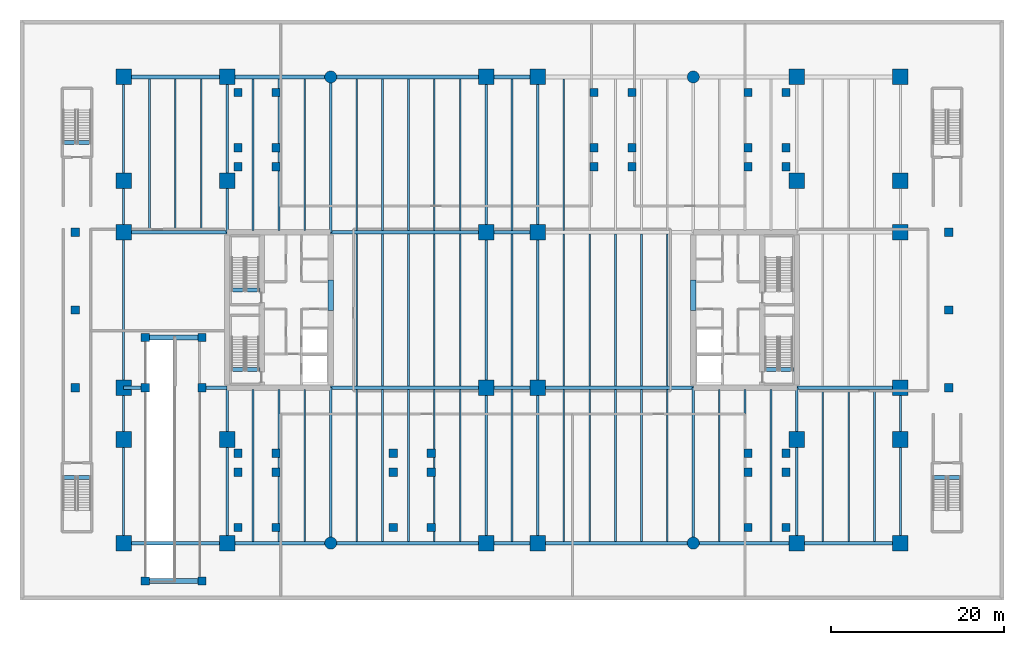
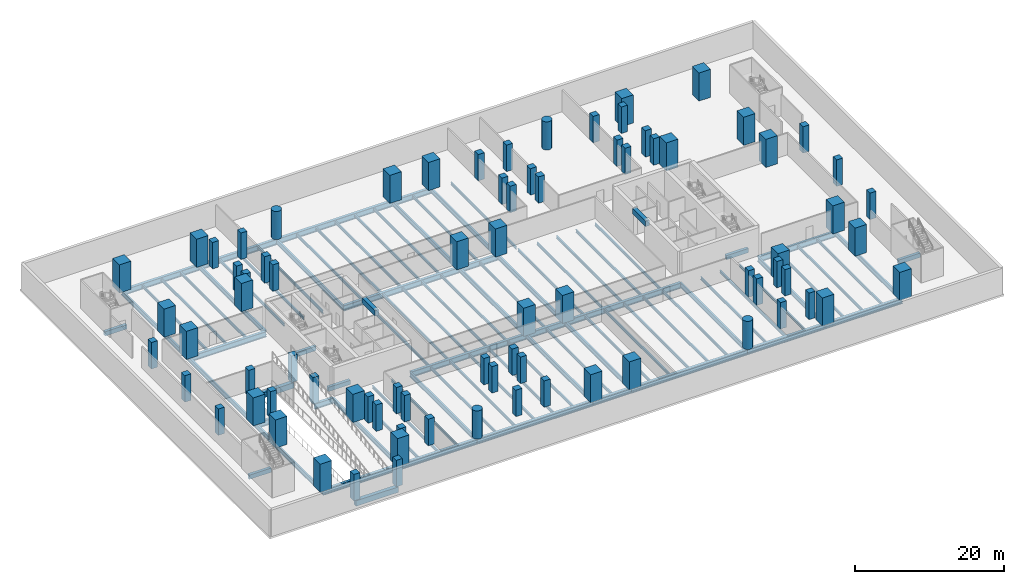
# One storey, part 1 of 13: 90 beams, 80 columns.
"""IFC4 building model written with IfcOpenShell, lengths in metres."""

from ifc_helpers import new_model, si_unit, direction, frame, origin, origin_2d, place, context, subcontext, project, spatial, rectangle, circle, i_section, extrude, material, material_profile, profile_set, type_object, element, save


model = new_model("IFC4")

# Units and contexts
model_context = context("Model", 3, precision=1e-05, world=origin(), true_north=direction((0.0, 1.0)))
body_context = subcontext(model_context, "Body", "Model", "MODEL_VIEW")
ifc_project = project(units=[si_unit("LENGTHUNIT", "METRE"), si_unit("AREAUNIT", "SQUARE_METRE"), si_unit("VOLUMEUNIT", "CUBIC_METRE"), si_unit("PLANEANGLEUNIT", "RADIAN"), si_unit("MASSUNIT", "GRAM", prefix="KILO")], contexts=[model_context])

# Site, building, storey
site_placement = place(None, origin())
site = spatial("IfcSite", under=ifc_project, at=site_placement, CompositionType="ELEMENT")
building_placement = place(site_placement, origin())
building = spatial("IfcBuilding", under=site, at=building_placement, Name="Tanjung Sevakor Pilgrim Tower", CompositionType="ELEMENT")
storey_placement = place(building_placement, frame((0.0, 0.0, -4.6201171875)))
storey = spatial("IfcBuildingStorey", under=building, at=storey_placement, Name="B01", CompositionType="ELEMENT", Elevation=-4.6201171875)

# Columns
ifc_material_1 = material(Name="Concrete C60/75", Category="concrete")
ifc_material_profile_1 = material_profile(ifc_material_1, circle(Radius=0.699951171875, at=origin_2d()))
ifc_profile_set_1 = profile_set([ifc_material_profile_1], Name="Concrete C60/75")
column_type_1 = type_object("IfcColumnType", Name="COL-C-D1400-RC-COL_D1400", PredefinedType="COLUMN", material=ifc_profile_set_1)
for number, where, z_axis, x_axis, name in (
    (1, (36.0, 6.60009765625, 0.0), (0.0, 0.0, 1.0), (1.0, 0.0, 0.0), "B01 Column MC-036-066"),
    (2, (36.0, 60.60009765625, 0.0), (0.0, 0.0, 1.0), (1.0, 0.0, 0.0), "B01 Column MC-036-606"),
    (3, (78.0, 6.60009765625, 0.0), (0.0, 0.0, 1.0), (1.0, 0.0, 0.0), "B01 Column MC-078-066"),
    (4, (78.0, 60.60009765625, 0.0), (0.0, 0.0, 1.0), (1.0, 0.0, 0.0), "B01 Column MC-078-606"),
):
    element("IfcColumn", number, at=place(storey_placement, frame(where, z_axis=z_axis, x_axis=x_axis)), inside=storey, type_object=column_type_1, Name=name, PredefinedType="COLUMN", context=body_context, shape_type="SweptSolid", body=[
        extrude(circle(Radius=0.699951171875, at=origin_2d()), origin(), (0.0, 0.0, 1.0), 4.6201171875),
    ])
ifc_material_2 = material(Name="Concrete C60/75", Category="concrete")
ifc_material_profile_2 = material_profile(ifc_material_2, rectangle(XDim=1.800048828125, YDim=1.800048828125, at=origin_2d()))
ifc_profile_set_2 = profile_set([ifc_material_profile_2], Name="Concrete C60/75")
column_type_2 = type_object("IfcColumnType", Name="COL-C-M1800-RC_1800x1800", PredefinedType="COLUMN", material=ifc_profile_set_2)
for number, where, z_axis, x_axis, name in (
    (5, (12.0, 6.60009765625, 0.0), (0.0, 0.0, 1.0), (1.0, 0.0, 0.0), "B01 Column MC-012-066"),
    (6, (12.0, 24.60009765625, 0.0), (0.0, 0.0, 1.0), (1.0, 0.0, 0.0), "B01 Column MC-012-246"),
    (7, (12.0, 42.60009765625, 0.0), (0.0, 0.0, 1.0), (1.0, 0.0, 0.0), "B01 Column MC-012-426"),
    (8, (12.0, 60.60009765625, 0.0), (0.0, 0.0, 1.0), (1.0, 0.0, 0.0), "B01 Column MC-012-606"),
    (9, (24.0, 6.60009765625, 0.0), (0.0, 0.0, 1.0), (1.0, 0.0, 0.0), "B01 Column MC-024-066"),
    (10, (24.0, 60.60009765625, 0.0), (0.0, 0.0, 1.0), (1.0, 0.0, 0.0), "B01 Column MC-024-606"),
    (11, (54.0, 6.60009765625, 0.0), (0.0, 0.0, 1.0), (1.0, 0.0, 0.0), "B01 Column MC-054-066"),
    (12, (54.0, 24.60009765625, 0.0), (0.0, 0.0, 1.0), (1.0, 0.0, 0.0), "B01 Column MC-054-246"),
    (13, (54.0, 42.60009765625, 0.0), (0.0, 0.0, 1.0), (1.0, 0.0, 0.0), "B01 Column MC-054-426"),
    (14, (54.0, 60.60009765625, 0.0), (0.0, 0.0, 1.0), (1.0, 0.0, 0.0), "B01 Column MC-054-606"),
    (15, (60.0, 6.60009765625, 0.0), (0.0, 0.0, 1.0), (1.0, 0.0, 0.0), "B01 Column MC-060-066"),
    (16, (60.0, 24.60009765625, 0.0), (0.0, 0.0, 1.0), (1.0, 0.0, 0.0), "B01 Column MC-060-246"),
    (17, (60.0, 42.60009765625, 0.0), (0.0, 0.0, 1.0), (1.0, 0.0, 0.0), "B01 Column MC-060-426"),
    (18, (60.0, 60.60009765625, 0.0), (0.0, 0.0, 1.0), (1.0, 0.0, 0.0), "B01 Column MC-060-606"),
    (19, (90.0, 6.60009765625, 0.0), (0.0, 0.0, 1.0), (1.0, 0.0, 0.0), "B01 Column MC-090-066"),
    (20, (90.0, 60.60009765625, 0.0), (0.0, 0.0, 1.0), (1.0, 0.0, 0.0), "B01 Column MC-090-606"),
    (21, (102.0, 6.60009765625, 0.0), (0.0, 0.0, 1.0), (1.0, 0.0, 0.0), "B01 Column MC-102-066"),
    (22, (102.0, 24.60009765625, 0.0), (0.0, 0.0, 1.0), (1.0, 0.0, 0.0), "B01 Column MC-102-246"),
    (23, (102.0, 42.60009765625, 0.0), (0.0, 0.0, 1.0), (1.0, 0.0, 0.0), "B01 Column MC-102-426"),
    (24, (102.0, 60.60009765625, 0.0), (0.0, 0.0, 1.0), (1.0, 0.0, 0.0), "B01 Column MC-102-606"),
    (25, (12.0, 18.60009765625, 0.0), (0.0, 0.0, 1.0), (1.0, 0.0, 0.0), "B01 Column MCE-012-186"),
    (26, (12.0, 48.60009765625, 0.0), (0.0, 0.0, 1.0), (1.0, 0.0, 0.0), "B01 Column MCE-012-486"),
    (27, (24.0, 18.60009765625, 0.0), (0.0, 0.0, 1.0), (1.0, 0.0, 0.0), "B01 Column MCE-024-186"),
    (28, (24.0, 48.60009765625, 0.0), (0.0, 0.0, 1.0), (1.0, 0.0, 0.0), "B01 Column MCE-024-486"),
    (29, (90.0, 18.60009765625, 0.0), (0.0, 0.0, 1.0), (1.0, 0.0, 0.0), "B01 Column MCE-090-186"),
    (30, (90.0, 48.60009765625, 0.0), (0.0, 0.0, 1.0), (1.0, 0.0, 0.0), "B01 Column MCE-090-486"),
    (31, (102.0, 18.60009765625, 0.0), (0.0, 0.0, 1.0), (1.0, 0.0, 0.0), "B01 Column MCE-102-186"),
    (32, (102.0, 48.60009765625, 0.0), (0.0, 0.0, 1.0), (1.0, 0.0, 0.0), "B01 Column MCE-102-486"),
):
    element("IfcColumn", number, at=place(storey_placement, frame(where, z_axis=z_axis, x_axis=x_axis)), inside=storey, type_object=column_type_2, Name=name, PredefinedType="COLUMN", context=body_context, shape_type="SweptSolid", body=[
        extrude(rectangle(XDim=1.800048828125, YDim=1.800048828125, at=origin_2d()), origin(), (0.0, 0.0, 1.0), 4.6201171875),
    ])
ifc_material_3 = material(Name="Concrete C60/75", Category="concrete")
ifc_material_profile_3 = material_profile(ifc_material_3, rectangle(XDim=0.949951171875, YDim=0.949951171875, at=origin_2d()))
ifc_profile_set_3 = profile_set([ifc_material_profile_3], Name="Concrete C60/75")
column_type_3 = type_object("IfcColumnType", Name="COL-C-T950-RC_950x950", PredefinedType="COLUMN", material=ifc_profile_set_3)
for number, where, z_axis, x_axis, name in (
    (33, (6.39990234375, 24.60009765625, 0.0), (0.0, 0.0, 1.0), (1.0, 0.0, 0.0), "B01 Stair Frame Column W2"),
    (34, (6.39990234375, 42.60009765625, 0.0), (0.0, 0.0, 1.0), (1.0, 0.0, 0.0), "B01 Stair Frame Column W3"),
    (35, (6.39990234375, 33.60009765625, 0.0), (0.0, 0.0, 1.0), (1.0, 0.0, 0.0), "B01 Stair Frame Column W5"),
    (36, (107.60009765625, 24.60009765625, 0.0), (0.0, 0.0, 1.0), (1.0, 0.0, 0.0), "B01 Stair Frame Column E2"),
    (37, (107.60009765625, 42.60009765625, 0.0), (0.0, 0.0, 1.0), (1.0, 0.0, 0.0), "B01 Stair Frame Column E3"),
    (38, (107.60009765625, 33.60009765625, 0.0), (0.0, 0.0, 1.0), (1.0, 0.0, 0.0), "B01 Stair Frame Column E5"),
    (39, (14.5, 2.199951171875, 0.0), (0.0, 0.0, 1.0), (1.0, 0.0, 0.0), "B01 Stair Frame Column RMP1"),
    (40, (21.10009765625, 2.199951171875, 0.0), (0.0, 0.0, 1.0), (1.0, 0.0, 0.0), "B01 Stair Frame Column RMP2"),
    (41, (14.5, 30.39990234375, 0.0), (0.0, 0.0, 1.0), (1.0, 0.0, 0.0), "B01 Stair Frame Column RMP3"),
    (42, (21.10009765625, 30.39990234375, 0.0), (0.0, 0.0, 1.0), (1.0, 0.0, 0.0), "B01 Stair Frame Column RMP4"),
    (43, (14.5, 24.60009765625, 0.0), (0.0, 0.0, 1.0), (1.0, 0.0, 0.0), "B01 Stair Frame Column RMPY1"),
    (44, (21.10009765625, 24.60009765625, 0.0), (0.0, 0.0, 1.0), (1.0, 0.0, 0.0), "B01 Stair Frame Column RMPY2"),
    (45, (25.25, 14.800048828125, 0.0), (0.0, 0.0, 1.0), (1.0, 0.0, 0.0), "B01 Stair Frame Column PS1P1"),
    (46, (29.64990234375, 14.800048828125, 0.0), (0.0, 0.0, 1.0), (1.0, 0.0, 0.0), "B01 Stair Frame Column PS1P2"),
    (47, (25.25, 8.39990234375, 0.0), (0.0, 0.0, 1.0), (1.0, 0.0, 0.0), "B01 Stair Frame Column PS1P3"),
    (48, (29.64990234375, 8.39990234375, 0.0), (0.0, 0.0, 1.0), (1.0, 0.0, 0.0), "B01 Stair Frame Column PS1P4"),
    (49, (29.64990234375, 17.0, 0.0), (0.0, 0.0, 1.0), (1.0, 0.0, 0.0), "B01 Stair Frame Column PS1P5"),
    (50, (25.25, 17.0, 0.0), (0.0, 0.0, 1.0), (1.0, 0.0, 0.0), "B01 Stair Frame Column PS1P6"),
    (51, (25.25, 52.39990234375, 0.0), (0.0, 0.0, 1.0), (1.0, 0.0, 0.0), "B01 Stair Frame Column PS2P1"),
    (52, (29.64990234375, 52.39990234375, 0.0), (0.0, 0.0, 1.0), (1.0, 0.0, 0.0), "B01 Stair Frame Column PS2P2"),
    (53, (25.25, 50.199951171875, 0.0), (0.0, 0.0, 1.0), (1.0, 0.0, 0.0), "B01 Stair Frame Column PS2P3"),
    (54, (29.64990234375, 50.199951171875, 0.0), (0.0, 0.0, 1.0), (1.0, 0.0, 0.0), "B01 Stair Frame Column PS2P4"),
    (55, (29.64990234375, 58.800048828125, 0.0), (0.0, 0.0, 1.0), (1.0, 0.0, 0.0), "B01 Stair Frame Column PS2P5"),
    (56, (25.25, 58.800048828125, 0.0), (0.0, 0.0, 1.0), (1.0, 0.0, 0.0), "B01 Stair Frame Column PS2P6"),
    (57, (43.25, 14.800048828125, 0.0), (0.0, 0.0, 1.0), (1.0, 0.0, 0.0), "B01 Stair Frame Column PS3P1"),
    (58, (47.64990234375, 14.800048828125, 0.0), (0.0, 0.0, 1.0), (1.0, 0.0, 0.0), "B01 Stair Frame Column PS3P2"),
    (59, (43.25, 8.39990234375, 0.0), (0.0, 0.0, 1.0), (1.0, 0.0, 0.0), "B01 Stair Frame Column PS3P3"),
    (60, (47.64990234375, 8.39990234375, 0.0), (0.0, 0.0, 1.0), (1.0, 0.0, 0.0), "B01 Stair Frame Column PS3P4"),
    (61, (47.64990234375, 17.0, 0.0), (0.0, 0.0, 1.0), (1.0, 0.0, 0.0), "B01 Stair Frame Column PS3P5"),
    (62, (43.25, 17.0, 0.0), (0.0, 0.0, 1.0), (1.0, 0.0, 0.0), "B01 Stair Frame Column PS3P6"),
    (63, (66.5, 52.39990234375, 0.0), (0.0, 0.0, 1.0), (1.0, 0.0, 0.0), "B01 Stair Frame Column PS4P1"),
    (64, (70.89990234375, 52.39990234375, 0.0), (0.0, 0.0, 1.0), (1.0, 0.0, 0.0), "B01 Stair Frame Column PS4P2"),
    (65, (66.5, 50.199951171875, 0.0), (0.0, 0.0, 1.0), (1.0, 0.0, 0.0), "B01 Stair Frame Column PS4P3"),
    (66, (70.89990234375, 50.199951171875, 0.0), (0.0, 0.0, 1.0), (1.0, 0.0, 0.0), "B01 Stair Frame Column PS4P4"),
    (67, (70.89990234375, 58.800048828125, 0.0), (0.0, 0.0, 1.0), (1.0, 0.0, 0.0), "B01 Stair Frame Column PS4P5"),
    (68, (66.5, 58.800048828125, 0.0), (0.0, 0.0, 1.0), (1.0, 0.0, 0.0), "B01 Stair Frame Column PS4P6"),
    (69, (84.35009765625, 14.800048828125, 0.0), (0.0, 0.0, 1.0), (1.0, 0.0, 0.0), "B01 Stair Frame Column PS5P1"),
    (70, (88.75, 14.800048828125, 0.0), (0.0, 0.0, 1.0), (1.0, 0.0, 0.0), "B01 Stair Frame Column PS5P2"),
    (71, (84.35009765625, 8.39990234375, 0.0), (0.0, 0.0, 1.0), (1.0, 0.0, 0.0), "B01 Stair Frame Column PS5P3"),
    (72, (88.75, 8.39990234375, 0.0), (0.0, 0.0, 1.0), (1.0, 0.0, 0.0), "B01 Stair Frame Column PS5P4"),
    (73, (88.75, 17.0, 0.0), (0.0, 0.0, 1.0), (1.0, 0.0, 0.0), "B01 Stair Frame Column PS5P5"),
    (74, (84.35009765625, 17.0, 0.0), (0.0, 0.0, 1.0), (1.0, 0.0, 0.0), "B01 Stair Frame Column PS5P6"),
    (75, (84.35009765625, 52.39990234375, 0.0), (0.0, 0.0, 1.0), (1.0, 0.0, 0.0), "B01 Stair Frame Column PS6P1"),
    (76, (88.75, 52.39990234375, 0.0), (0.0, 0.0, 1.0), (1.0, 0.0, 0.0), "B01 Stair Frame Column PS6P2"),
    (77, (84.35009765625, 50.199951171875, 0.0), (0.0, 0.0, 1.0), (1.0, 0.0, 0.0), "B01 Stair Frame Column PS6P3"),
    (78, (88.75, 50.199951171875, 0.0), (0.0, 0.0, 1.0), (1.0, 0.0, 0.0), "B01 Stair Frame Column PS6P4"),
    (79, (88.75, 58.800048828125, 0.0), (0.0, 0.0, 1.0), (1.0, 0.0, 0.0), "B01 Stair Frame Column PS6P5"),
    (80, (84.35009765625, 58.800048828125, 0.0), (0.0, 0.0, 1.0), (1.0, 0.0, 0.0), "B01 Stair Frame Column PS6P6"),
):
    element("IfcColumn", number, at=place(storey_placement, frame(where, z_axis=z_axis, x_axis=x_axis)), inside=storey, type_object=column_type_3, Name=name, PredefinedType="COLUMN", context=body_context, shape_type="SweptSolid", body=[
        extrude(rectangle(XDim=0.949951171875, YDim=0.949951171875, at=origin_2d()), origin(), (0.0, 0.0, 1.0), 4.340087890625),
    ])

# Beams
ifc_material_4 = material(Name="Steel S355J2", Category="steel")
ifc_material_profile_4 = material_profile(ifc_material_4, i_section(OverallWidth=0.26806640625, OverallDepth=0.769775390625, WebThickness=0.015625, FlangeThickness=0.025390625, FilletRadius=0.0166015625, at=origin_2d()))
ifc_profile_set_4 = profile_set([ifc_material_profile_4], Name="Steel S355J2")
beam_type_1 = type_object("IfcBeamType", Name="BM-B-G1-UB_762x267x197", PredefinedType="BEAM", material=ifc_profile_set_4)
for number, where, z_axis, x_axis, name in (
    (81, (12.0, 6.60009765625, -0.684814453125), (0.0, 1.0, 0.0), (-1.0, 0.0, 0.0), "B01 Podium Girder NS X12-2"),
    (82, (12.0, 24.60009765625, -0.684814453125), (0.0, 1.0, 0.0), (-1.0, 0.0, 0.0), "B01 Podium Girder NS X12-3"),
    (83, (12.0, 42.60009765625, -0.684814453125), (0.0, 1.0, 0.0), (-1.0, 0.0, 0.0), "B01 Podium Girder NS X12-4"),
    (84, (24.0, 6.60009765625, -0.684814453125), (0.0, 1.0, 0.0), (-1.0, 0.0, 0.0), "B01 Podium Girder NS X24-2"),
    (85, (24.0, 42.60009765625, -0.684814453125), (0.0, 1.0, 0.0), (-1.0, 0.0, 0.0), "B01 Podium Girder NS X24-3"),
    (86, (36.0, 6.60009765625, -0.684814453125), (0.0, 1.0, 0.0), (-1.0, 0.0, 0.0), "B01 Podium Girder NS X36-2"),
    (87, (36.0, 42.60009765625, -0.684814453125), (0.0, 1.0, 0.0), (-1.0, 0.0, 0.0), "B01 Podium Girder NS X36-3"),
    (88, (54.0, 6.60009765625, -0.684814453125), (0.0, 1.0, 0.0), (-1.0, 0.0, 0.0), "B01 Podium Girder NS X54-2"),
    (89, (54.0, 24.60009765625, -0.684814453125), (0.0, 1.0, 0.0), (-1.0, 0.0, 0.0), "B01 Podium Girder NS X54-3"),
    (90, (54.0, 42.60009765625, -0.684814453125), (0.0, 1.0, 0.0), (-1.0, 0.0, 0.0), "B01 Podium Girder NS X54-4"),
    (91, (60.0, 6.60009765625, -0.684814453125), (0.0, 1.0, 0.0), (-1.0, 0.0, 0.0), "B01 Podium Girder NS X60-2"),
    (92, (60.0, 24.60009765625, -0.684814453125), (0.0, 1.0, 0.0), (-1.0, 0.0, 0.0), "B01 Podium Girder NS X60-3"),
    (93, (60.0, 42.60009765625, -0.684814453125), (0.0, 1.0, 0.0), (-1.0, 0.0, 0.0), "B01 Podium Girder NS X60-4"),
    (94, (78.0, 6.60009765625, -0.684814453125), (0.0, 1.0, 0.0), (-1.0, 0.0, 0.0), "B01 Podium Girder NS X78-2"),
    (95, (90.0, 6.60009765625, -0.684814453125), (0.0, 1.0, 0.0), (-1.0, 0.0, 0.0), "B01 Podium Girder NS X90-2"),
    (96, (102.0, 6.60009765625, -0.684814453125), (0.0, 1.0, 0.0), (-1.0, 0.0, 0.0), "B01 Podium Girder NS X102-2"),
):
    element("IfcBeam", number, at=place(storey_placement, frame(where, z_axis=z_axis, x_axis=x_axis)), inside=storey, type_object=beam_type_1, Name=name, PredefinedType="BEAM", context=body_context, shape_type="SweptSolid", body=[
        extrude(i_section(OverallWidth=0.26806640625, OverallDepth=0.769775390625, WebThickness=0.015625, FlangeThickness=0.025390625, FilletRadius=0.0166015625, at=origin_2d()), origin(), (0.0, 0.0, 1.0), 18.0),
    ])
ifc_material_5 = material(Name="Steel S355J2", Category="steel")
ifc_material_profile_5 = material_profile(ifc_material_5, i_section(OverallWidth=0.19287109375, OverallDepth=0.46728515625, WebThickness=0.011474609375, FlangeThickness=0.01953125, FilletRadius=0.01025390625, at=origin_2d()))
ifc_profile_set_5 = profile_set([ifc_material_profile_5], Name="Steel S355J2")
beam_type_2 = type_object("IfcBeamType", Name="BM-B-J1-UB_457x191x98", PredefinedType="JOIST", material=ifc_profile_set_5)
for number, where, z_axis, x_axis, name in (
    (97, (15.0, 42.810302734375, -0.533447265625), (0.0, 1.0, 0.0), (-1.0, 0.0, 0.0), "B01 Secondary Joist 001"),
    (98, (18.0, 42.810302734375, -0.533447265625), (0.0, 1.0, 0.0), (-1.0, 0.0, 0.0), "B01 Secondary Joist 002"),
    (99, (21.0, 42.810302734375, -0.533447265625), (0.0, 1.0, 0.0), (-1.0, 0.0, 0.0), "B01 Secondary Joist 003"),
    (100, (27.0, 6.810302734375, -0.533447265625), (0.0, 1.0, 0.0), (-1.0, 0.0, 0.0), "B01 Secondary Joist 004"),
    (101, (27.0, 42.810302734375, -0.533447265625), (0.0, 1.0, 0.0), (-1.0, 0.0, 0.0), "B01 Secondary Joist 005"),
    (102, (30.0, 6.810302734375, -0.533447265625), (0.0, 1.0, 0.0), (-1.0, 0.0, 0.0), "B01 Secondary Joist 006"),
    (103, (30.0, 42.810302734375, -0.533447265625), (0.0, 1.0, 0.0), (-1.0, 0.0, 0.0), "B01 Secondary Joist 007"),
    (104, (33.0, 6.810302734375, -0.533447265625), (0.0, 1.0, 0.0), (-1.0, 0.0, 0.0), "B01 Secondary Joist 008"),
    (105, (33.0, 42.810302734375, -0.533447265625), (0.0, 1.0, 0.0), (-1.0, 0.0, 0.0), "B01 Secondary Joist 009"),
    (106, (39.0, 6.810302734375, -0.533447265625), (0.0, 1.0, 0.0), (-1.0, 0.0, 0.0), "B01 Secondary Joist 010"),
    (107, (39.0, 24.810302734375, -0.533447265625), (0.0, 1.0, 0.0), (-1.0, 0.0, 0.0), "B01 Secondary Joist 011"),
    (108, (39.0, 42.810302734375, -0.533447265625), (0.0, 1.0, 0.0), (-1.0, 0.0, 0.0), "B01 Secondary Joist 012"),
    (109, (42.0, 6.810302734375, -0.533447265625), (0.0, 1.0, 0.0), (-1.0, 0.0, 0.0), "B01 Secondary Joist 013"),
    (110, (42.0, 24.810302734375, -0.533447265625), (0.0, 1.0, 0.0), (-1.0, 0.0, 0.0), "B01 Secondary Joist 014"),
    (111, (42.0, 42.810302734375, -0.533447265625), (0.0, 1.0, 0.0), (-1.0, 0.0, 0.0), "B01 Secondary Joist 015"),
    (112, (45.0, 6.810302734375, -0.533447265625), (0.0, 1.0, 0.0), (-1.0, 0.0, 0.0), "B01 Secondary Joist 016"),
    (113, (45.0, 24.810302734375, -0.533447265625), (0.0, 1.0, 0.0), (-1.0, 0.0, 0.0), "B01 Secondary Joist 017"),
    (114, (45.0, 42.810302734375, -0.533447265625), (0.0, 1.0, 0.0), (-1.0, 0.0, 0.0), "B01 Secondary Joist 018"),
    (115, (48.0, 6.810302734375, -0.533447265625), (0.0, 1.0, 0.0), (-1.0, 0.0, 0.0), "B01 Secondary Joist 019"),
    (116, (48.0, 24.810302734375, -0.533447265625), (0.0, 1.0, 0.0), (-1.0, 0.0, 0.0), "B01 Secondary Joist 020"),
    (117, (48.0, 42.810302734375, -0.533447265625), (0.0, 1.0, 0.0), (-1.0, 0.0, 0.0), "B01 Secondary Joist 021"),
    (118, (51.0, 6.810302734375, -0.533447265625), (0.0, 1.0, 0.0), (-1.0, 0.0, 0.0), "B01 Secondary Joist 022"),
    (119, (51.0, 24.810302734375, -0.533447265625), (0.0, 1.0, 0.0), (-1.0, 0.0, 0.0), "B01 Secondary Joist 023"),
    (120, (51.0, 42.810302734375, -0.533447265625), (0.0, 1.0, 0.0), (-1.0, 0.0, 0.0), "B01 Secondary Joist 024"),
    (121, (57.0, 6.810302734375, -0.533447265625), (0.0, 1.0, 0.0), (-1.0, 0.0, 0.0), "B01 Secondary Joist 025"),
    (122, (57.0, 24.810302734375, -0.533447265625), (0.0, 1.0, 0.0), (-1.0, 0.0, 0.0), "B01 Secondary Joist 026"),
    (123, (57.0, 42.810302734375, -0.533447265625), (0.0, 1.0, 0.0), (-1.0, 0.0, 0.0), "B01 Secondary Joist 027"),
    (124, (63.0, 6.810302734375, -0.533447265625), (0.0, 1.0, 0.0), (-1.0, 0.0, 0.0), "B01 Secondary Joist 028"),
    (125, (63.0, 24.810302734375, -0.533447265625), (0.0, 1.0, 0.0), (-1.0, 0.0, 0.0), "B01 Secondary Joist 029"),
    (126, (63.0, 42.810302734375, -0.533447265625), (0.0, 1.0, 0.0), (-1.0, 0.0, 0.0), "B01 Secondary Joist 030"),
    (127, (66.0, 6.810302734375, -0.533447265625), (0.0, 1.0, 0.0), (-1.0, 0.0, 0.0), "B01 Secondary Joist 031"),
    (128, (66.0, 24.810302734375, -0.533447265625), (0.0, 1.0, 0.0), (-1.0, 0.0, 0.0), "B01 Secondary Joist 032"),
    (129, (69.0, 6.810302734375, -0.533447265625), (0.0, 1.0, 0.0), (-1.0, 0.0, 0.0), "B01 Secondary Joist 034"),
    (130, (69.0, 24.810302734375, -0.533447265625), (0.0, 1.0, 0.0), (-1.0, 0.0, 0.0), "B01 Secondary Joist 035"),
    (131, (72.0, 6.810302734375, -0.533447265625), (0.0, 1.0, 0.0), (-1.0, 0.0, 0.0), "B01 Secondary Joist 037"),
    (132, (72.0, 24.810302734375, -0.533447265625), (0.0, 1.0, 0.0), (-1.0, 0.0, 0.0), "B01 Secondary Joist 038"),
    (133, (75.0, 6.810302734375, -0.533447265625), (0.0, 1.0, 0.0), (-1.0, 0.0, 0.0), "B01 Secondary Joist 040"),
    (134, (75.0, 24.810302734375, -0.533447265625), (0.0, 1.0, 0.0), (-1.0, 0.0, 0.0), "B01 Secondary Joist 041"),
    (135, (81.0, 6.810302734375, -0.533447265625), (0.0, 1.0, 0.0), (-1.0, 0.0, 0.0), "B01 Secondary Joist 043"),
    (136, (84.0, 6.810302734375, -0.533447265625), (0.0, 1.0, 0.0), (-1.0, 0.0, 0.0), "B01 Secondary Joist 045"),
    (137, (87.0, 6.810302734375, -0.533447265625), (0.0, 1.0, 0.0), (-1.0, 0.0, 0.0), "B01 Secondary Joist 047"),
    (138, (93.0, 6.810302734375, -0.533447265625), (0.0, 1.0, 0.0), (-1.0, 0.0, 0.0), "B01 Secondary Joist 049"),
    (139, (96.0, 6.810302734375, -0.533447265625), (0.0, 1.0, 0.0), (-1.0, 0.0, 0.0), "B01 Secondary Joist 052"),
    (140, (99.0, 6.810302734375, -0.533447265625), (0.0, 1.0, 0.0), (-1.0, 0.0, 0.0), "B01 Secondary Joist 055"),
):
    element("IfcBeam", number, at=place(storey_placement, frame(where, z_axis=z_axis, x_axis=x_axis)), inside=storey, type_object=beam_type_2, Name=name, PredefinedType="JOIST", context=body_context, shape_type="SweptSolid", body=[
        extrude(i_section(OverallWidth=0.19287109375, OverallDepth=0.46728515625, WebThickness=0.011474609375, FlangeThickness=0.01953125, FilletRadius=0.01025390625, at=origin_2d()), origin(), (0.0, 0.0, 1.0), 17.57958984375),
    ])
ifc_material_6 = material(Name="Concrete C60/75", Category="concrete")
ifc_material_profile_6 = material_profile(ifc_material_6, rectangle(XDim=0.60009765625, YDim=0.89990234375, at=origin_2d()))
ifc_profile_set_6 = profile_set([ifc_material_profile_6], Name="Concrete C60/75")
beam_type_3 = type_object("IfcBeamType", Name="BM-B-LN1-RC-BM_600x900", PredefinedType="LINTEL", material=ifc_profile_set_6)
for number, where, z_axis, x_axis, name in (
    (141, (36.0, 33.550048828125, 3.89013671875), (0.0, 1.0, 0.0), (-1.0, 0.0, 0.0), "B01 W Core Coupling Lintel"),
    (142, (78.0, 33.550048828125, 3.89013671875), (0.0, 1.0, 0.0), (-1.0, 0.0, 0.0), "B01 E Core Coupling Lintel"),
):
    element("IfcBeam", number, at=place(storey_placement, frame(where, z_axis=z_axis, x_axis=x_axis)), inside=storey, type_object=beam_type_3, Name=name, PredefinedType="LINTEL", context=body_context, shape_type="SweptSolid", body=[
        extrude(rectangle(XDim=0.60009765625, YDim=0.89990234375, at=origin_2d()), origin(), (0.0, 0.0, 1.0), 3.5),
    ])
for number, where, z_axis, x_axis, name in (
    (143, (14.5, 2.199951171875, -0.699951171875), (1.0, 0.0, 0.0), (0.0, 1.0, 0.0), "B01 Vehicle Ramp Landing Beam 1"),
    (144, (14.5, 30.39990234375, -0.699951171875), (1.0, 0.0, 0.0), (0.0, 1.0, 0.0), "B01 Vehicle Ramp Landing Beam 2"),
):
    element("IfcBeam", number, at=place(storey_placement, frame(where, z_axis=z_axis, x_axis=x_axis)), inside=storey, type_object=beam_type_3, Name=name, PredefinedType="LINTEL", context=body_context, shape_type="SweptSolid", body=[
        extrude(rectangle(XDim=0.60009765625, YDim=0.89990234375, at=origin_2d()), origin(), (0.0, 0.0, 1.0), 6.60009765625),
    ])
ifc_material_7 = material(Name="Concrete C60/75", Category="concrete")
ifc_material_profile_7 = material_profile(ifc_material_7, rectangle(XDim=0.449951171875, YDim=0.699951171875, at=origin_2d()))
ifc_profile_set_7 = profile_set([ifc_material_profile_7], Name="Concrete C60/75")
beam_type_4 = type_object("IfcBeamType", Name="BM-B-LN3-RC-BM_450x700", PredefinedType="LINTEL", material=ifc_profile_set_7)
for number, where, z_axis, x_axis, name in (
    (145, (24.39990234375, 26.699951171875, -0.349853515625), (1.0, 0.0, 0.0), (0.0, 1.0, 0.0), "B01 TS-W1 Stair Threshold Beam"),
    (146, (24.39990234375, 35.89990234375, -0.349853515625), (1.0, 0.0, 0.0), (0.0, 1.0, 0.0), "B01 TS-W2 Stair Threshold Beam"),
    (147, (86.199951171875, 26.699951171875, -0.349853515625), (1.0, 0.0, 0.0), (0.0, 1.0, 0.0), "B01 TS-E1 Stair Threshold Beam"),
    (148, (4.89990234375, 14.199951171875, -0.349853515625), (1.0, 0.0, 0.0), (0.0, 1.0, 0.0), "B01 BS-1 Stair Threshold Beam"),
    (149, (4.89990234375, 53.0, -0.349853515625), (1.0, 0.0, 0.0), (0.0, 1.0, 0.0), "B01 BS-2 Stair Threshold Beam"),
    (150, (105.699951171875, 14.199951171875, -0.349853515625), (1.0, 0.0, 0.0), (0.0, 1.0, 0.0), "B01 BS-3 Stair Threshold Beam"),
):
    element("IfcBeam", number, at=place(storey_placement, frame(where, z_axis=z_axis, x_axis=x_axis)), inside=storey, type_object=beam_type_4, Name=name, PredefinedType="LINTEL", context=body_context, shape_type="SweptSolid", body=[
        extrude(rectangle(XDim=0.449951171875, YDim=0.699951171875, at=origin_2d()), origin(), (0.0, 0.0, 1.0), 3.400146484375),
    ])
ifc_material_8 = material(Name="Steel S355J2", Category="steel")
ifc_material_profile_8 = material_profile(ifc_material_8, i_section(OverallWidth=0.42041015625, OverallDepth=0.9208984375, WebThickness=0.021484375, FlangeThickness=0.03662109375, FilletRadius=0.024169921875, at=origin_2d()))
ifc_profile_set_8 = profile_set([ifc_material_profile_8], Name="Steel S355J2")
beam_type_5 = type_object("IfcBeamType", Name="BM-B-POD1-UB_914x419x388", PredefinedType="BEAM", material=ifc_profile_set_8)
for number, where, z_axis, x_axis, name in (
    (151, (12.0, 6.60009765625, -0.760498046875), (1.0, 0.0, 0.0), (0.0, 1.0, 0.0), "B01 Podium Girder EW Y6.6-2"),
    (152, (24.0, 6.60009765625, -0.760498046875), (1.0, 0.0, 0.0), (0.0, 1.0, 0.0), "B01 Podium Girder EW Y6.6-3"),
):
    element("IfcBeam", number, at=place(storey_placement, frame(where, z_axis=z_axis, x_axis=x_axis)), inside=storey, type_object=beam_type_5, Name=name, PredefinedType="BEAM", context=body_context, shape_type="SweptSolid", body=[
        extrude(i_section(OverallWidth=0.42041015625, OverallDepth=0.9208984375, WebThickness=0.021484375, FlangeThickness=0.03662109375, FilletRadius=0.024169921875, at=origin_2d()), origin(), (0.0, 0.0, 1.0), 12.0),
    ])
beam_1_placement = place(storey_placement, frame((36.0, 6.60009765625, -0.760498046875), z_axis=(1.0, 0.0, 0.0), x_axis=(0.0, 1.0, 0.0)))
element("IfcBeam", 153, at=beam_1_placement, inside=storey, type_object=beam_type_5, Name="B01 Podium Girder EW Y6.6-4", PredefinedType="BEAM", context=body_context, shape_type="SweptSolid", body=[
    extrude(i_section(OverallWidth=0.42041015625, OverallDepth=0.9208984375, WebThickness=0.021484375, FlangeThickness=0.03662109375, FilletRadius=0.024169921875, at=origin_2d()), origin(), (0.0, 0.0, 1.0), 18.0),
])
beam_2_placement = place(storey_placement, frame((54.0, 6.60009765625, -0.760498046875), z_axis=(1.0, 0.0, 0.0), x_axis=(0.0, 1.0, 0.0)))
element("IfcBeam", 154, at=beam_2_placement, inside=storey, type_object=beam_type_5, Name="B01 Podium Girder EW Y6.6-5", PredefinedType="BEAM", context=body_context, shape_type="SweptSolid", body=[
    extrude(i_section(OverallWidth=0.42041015625, OverallDepth=0.9208984375, WebThickness=0.021484375, FlangeThickness=0.03662109375, FilletRadius=0.024169921875, at=origin_2d()), origin(), (0.0, 0.0, 1.0), 6.0),
])
beam_3_placement = place(storey_placement, frame((60.0, 6.60009765625, -0.760498046875), z_axis=(1.0, 0.0, 0.0), x_axis=(0.0, 1.0, 0.0)))
element("IfcBeam", 155, at=beam_3_placement, inside=storey, type_object=beam_type_5, Name="B01 Podium Girder EW Y6.6-6", PredefinedType="BEAM", context=body_context, shape_type="SweptSolid", body=[
    extrude(i_section(OverallWidth=0.42041015625, OverallDepth=0.9208984375, WebThickness=0.021484375, FlangeThickness=0.03662109375, FilletRadius=0.024169921875, at=origin_2d()), origin(), (0.0, 0.0, 1.0), 18.0),
])
for number, where, z_axis, x_axis, name in (
    (156, (78.0, 6.60009765625, -0.760498046875), (1.0, 0.0, 0.0), (0.0, 1.0, 0.0), "B01 Podium Girder EW Y6.6-7"),
    (157, (90.0, 6.60009765625, -0.760498046875), (1.0, 0.0, 0.0), (0.0, 1.0, 0.0), "B01 Podium Girder EW Y6.6-8"),
):
    element("IfcBeam", number, at=place(storey_placement, frame(where, z_axis=z_axis, x_axis=x_axis)), inside=storey, type_object=beam_type_5, Name=name, PredefinedType="BEAM", context=body_context, shape_type="SweptSolid", body=[
        extrude(i_section(OverallWidth=0.42041015625, OverallDepth=0.9208984375, WebThickness=0.021484375, FlangeThickness=0.03662109375, FilletRadius=0.024169921875, at=origin_2d()), origin(), (0.0, 0.0, 1.0), 12.0),
    ])
beam_4_placement = place(storey_placement, frame((12.0, 24.60009765625, -0.760498046875), z_axis=(1.0, 0.0, 0.0), x_axis=(0.0, 1.0, 0.0)))
element("IfcBeam", 158, at=beam_4_placement, inside=storey, type_object=beam_type_5, Name="B01 Podium Girder EW Y24.6-2", PredefinedType="BEAM", context=body_context, shape_type="SweptSolid", body=[
    extrude(i_section(OverallWidth=0.42041015625, OverallDepth=0.9208984375, WebThickness=0.021484375, FlangeThickness=0.03662109375, FilletRadius=0.024169921875, at=origin_2d()), origin(), (0.0, 0.0, 1.0), 2.5),
])
beam_5_placement = place(storey_placement, frame((21.10009765625, 24.60009765625, -0.760498046875), z_axis=(1.0, 0.0, 0.0), x_axis=(0.0, 1.0, 0.0)))
element("IfcBeam", 159, at=beam_5_placement, inside=storey, type_object=beam_type_5, Name="B01 Podium Girder EW Y24.6-3", PredefinedType="BEAM", context=body_context, shape_type="SweptSolid", body=[
    extrude(i_section(OverallWidth=0.42041015625, OverallDepth=0.9208984375, WebThickness=0.021484375, FlangeThickness=0.03662109375, FilletRadius=0.024169921875, at=origin_2d()), origin(), (0.0, 0.0, 1.0), 2.89990234375),
])
beam_6_placement = place(storey_placement, frame((36.0, 24.60009765625, -0.760498046875), z_axis=(1.0, 0.0, 0.0), x_axis=(0.0, 1.0, 0.0)))
element("IfcBeam", 160, at=beam_6_placement, inside=storey, type_object=beam_type_5, Name="B01 Podium Girder EW Y24.6-4", PredefinedType="BEAM", context=body_context, shape_type="SweptSolid", body=[
    extrude(i_section(OverallWidth=0.42041015625, OverallDepth=0.9208984375, WebThickness=0.021484375, FlangeThickness=0.03662109375, FilletRadius=0.024169921875, at=origin_2d()), origin(), (0.0, 0.0, 1.0), 18.0),
])
beam_7_placement = place(storey_placement, frame((54.0, 24.60009765625, -0.760498046875), z_axis=(1.0, 0.0, 0.0), x_axis=(0.0, 1.0, 0.0)))
element("IfcBeam", 161, at=beam_7_placement, inside=storey, type_object=beam_type_5, Name="B01 Podium Girder EW Y24.6-5", PredefinedType="BEAM", context=body_context, shape_type="SweptSolid", body=[
    extrude(i_section(OverallWidth=0.42041015625, OverallDepth=0.9208984375, WebThickness=0.021484375, FlangeThickness=0.03662109375, FilletRadius=0.024169921875, at=origin_2d()), origin(), (0.0, 0.0, 1.0), 6.0),
])
beam_8_placement = place(storey_placement, frame((60.0, 24.60009765625, -0.760498046875), z_axis=(1.0, 0.0, 0.0), x_axis=(0.0, 1.0, 0.0)))
element("IfcBeam", 162, at=beam_8_placement, inside=storey, type_object=beam_type_5, Name="B01 Podium Girder EW Y24.6-6", PredefinedType="BEAM", context=body_context, shape_type="SweptSolid", body=[
    extrude(i_section(OverallWidth=0.42041015625, OverallDepth=0.9208984375, WebThickness=0.021484375, FlangeThickness=0.03662109375, FilletRadius=0.024169921875, at=origin_2d()), origin(), (0.0, 0.0, 1.0), 18.0),
])
for number, where, z_axis, x_axis, name in (
    (163, (90.0, 24.60009765625, -0.760498046875), (1.0, 0.0, 0.0), (0.0, 1.0, 0.0), "B01 Podium Girder EW Y24.6-7"),
    (164, (12.0, 42.60009765625, -0.760498046875), (1.0, 0.0, 0.0), (0.0, 1.0, 0.0), "B01 Podium Girder EW Y42.6-2"),
):
    element("IfcBeam", number, at=place(storey_placement, frame(where, z_axis=z_axis, x_axis=x_axis)), inside=storey, type_object=beam_type_5, Name=name, PredefinedType="BEAM", context=body_context, shape_type="SweptSolid", body=[
        extrude(i_section(OverallWidth=0.42041015625, OverallDepth=0.9208984375, WebThickness=0.021484375, FlangeThickness=0.03662109375, FilletRadius=0.024169921875, at=origin_2d()), origin(), (0.0, 0.0, 1.0), 12.0),
    ])
beam_9_placement = place(storey_placement, frame((36.0, 42.60009765625, -0.760498046875), z_axis=(1.0, 0.0, 0.0), x_axis=(0.0, 1.0, 0.0)))
element("IfcBeam", 165, at=beam_9_placement, inside=storey, type_object=beam_type_5, Name="B01 Podium Girder EW Y42.6-3", PredefinedType="BEAM", context=body_context, shape_type="SweptSolid", body=[
    extrude(i_section(OverallWidth=0.42041015625, OverallDepth=0.9208984375, WebThickness=0.021484375, FlangeThickness=0.03662109375, FilletRadius=0.024169921875, at=origin_2d()), origin(), (0.0, 0.0, 1.0), 18.0),
])
beam_10_placement = place(storey_placement, frame((54.0, 42.60009765625, -0.760498046875), z_axis=(1.0, 0.0, 0.0), x_axis=(0.0, 1.0, 0.0)))
element("IfcBeam", 166, at=beam_10_placement, inside=storey, type_object=beam_type_5, Name="B01 Podium Girder EW Y42.6-4", PredefinedType="BEAM", context=body_context, shape_type="SweptSolid", body=[
    extrude(i_section(OverallWidth=0.42041015625, OverallDepth=0.9208984375, WebThickness=0.021484375, FlangeThickness=0.03662109375, FilletRadius=0.024169921875, at=origin_2d()), origin(), (0.0, 0.0, 1.0), 6.0),
])
for number, where, z_axis, x_axis, name in (
    (167, (12.0, 60.60009765625, -0.760498046875), (1.0, 0.0, 0.0), (0.0, 1.0, 0.0), "B01 Podium Girder EW Y60.6-2"),
    (168, (24.0, 60.60009765625, -0.760498046875), (1.0, 0.0, 0.0), (0.0, 1.0, 0.0), "B01 Podium Girder EW Y60.6-3"),
):
    element("IfcBeam", number, at=place(storey_placement, frame(where, z_axis=z_axis, x_axis=x_axis)), inside=storey, type_object=beam_type_5, Name=name, PredefinedType="BEAM", context=body_context, shape_type="SweptSolid", body=[
        extrude(i_section(OverallWidth=0.42041015625, OverallDepth=0.9208984375, WebThickness=0.021484375, FlangeThickness=0.03662109375, FilletRadius=0.024169921875, at=origin_2d()), origin(), (0.0, 0.0, 1.0), 12.0),
    ])
beam_11_placement = place(storey_placement, frame((36.0, 60.60009765625, -0.760498046875), z_axis=(1.0, 0.0, 0.0), x_axis=(0.0, 1.0, 0.0)))
element("IfcBeam", 169, at=beam_11_placement, inside=storey, type_object=beam_type_5, Name="B01 Podium Girder EW Y60.6-4", PredefinedType="BEAM", context=body_context, shape_type="SweptSolid", body=[
    extrude(i_section(OverallWidth=0.42041015625, OverallDepth=0.9208984375, WebThickness=0.021484375, FlangeThickness=0.03662109375, FilletRadius=0.024169921875, at=origin_2d()), origin(), (0.0, 0.0, 1.0), 18.0),
])
beam_12_placement = place(storey_placement, frame((54.0, 60.60009765625, -0.760498046875), z_axis=(1.0, 0.0, 0.0), x_axis=(0.0, 1.0, 0.0)))
element("IfcBeam", 170, at=beam_12_placement, inside=storey, type_object=beam_type_5, Name="B01 Podium Girder EW Y60.6-5", PredefinedType="BEAM", context=body_context, shape_type="SweptSolid", body=[
    extrude(i_section(OverallWidth=0.42041015625, OverallDepth=0.9208984375, WebThickness=0.021484375, FlangeThickness=0.03662109375, FilletRadius=0.024169921875, at=origin_2d()), origin(), (0.0, 0.0, 1.0), 6.0),
])

save(model, "model.ifc")
